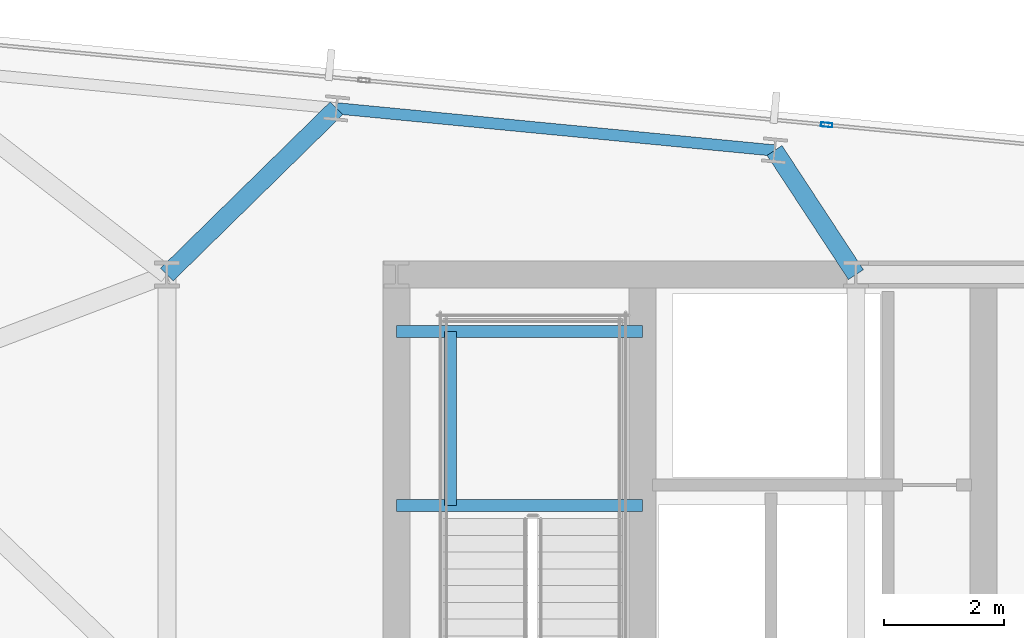
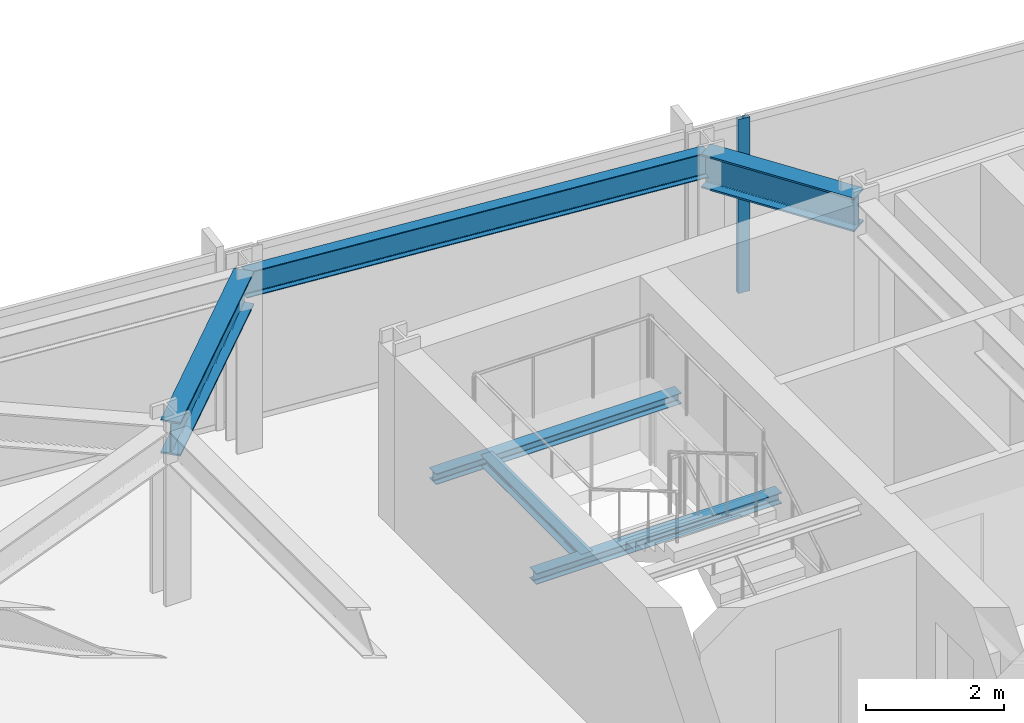
# One storey, part 24 of 38: 6 beams, 1 member, 1 element without a shape of its own.
"""IFC4 building model written with IfcOpenShell, lengths in metres."""

from ifc_helpers import new_model, si_unit, direction, frame, origin, origin_2d, place, context, subcontext, project, spatial, hollow_rectangle, i_section, extrude, material, material_profile, profile_set, type_object, element, aggregate, save


model = new_model("IFC4")

# Units and contexts
model_context = context("Model", 3, precision=1e-05, world=origin(), true_north=direction((0.0, 1.0)))
body_context = subcontext(model_context, "Body", "Model", "MODEL_VIEW")
ifc_project = project(units=[si_unit("LENGTHUNIT", "METRE"), si_unit("AREAUNIT", "SQUARE_METRE"), si_unit("VOLUMEUNIT", "CUBIC_METRE"), si_unit("PLANEANGLEUNIT", "RADIAN"), si_unit("MASSUNIT", "GRAM", prefix="KILO")], contexts=[model_context])

# Site, building, storey
site_placement = place(None, origin())
site = spatial("IfcSite", under=ifc_project, at=site_placement, CompositionType="ELEMENT")
building_placement = place(site_placement, origin())
building = spatial("IfcBuilding", under=site, at=building_placement, Name="Yelkora Congress Tower", CompositionType="ELEMENT")
storey_placement = place(building_placement, frame((0.0, 0.0, 178.699951171875)))
storey = spatial("IfcBuildingStorey", under=building, at=storey_placement, Name="L49", CompositionType="ELEMENT", Elevation=178.699951171875)

# Beams
ifc_material_1 = material(Name="Steel S355J2", Category="steel")
ifc_material_profile_1 = material_profile(ifc_material_1, i_section(OverallWidth=0.300048828125, OverallDepth=0.60009765625, WebThickness=0.015380859375, FlangeThickness=0.030029296875, FilletRadius=0.027099609375, at=origin_2d()), Name="HEB 600")
ifc_profile_set_1 = profile_set([ifc_material_profile_1], Name="Steel S355J2")
beam_type_1 = type_object("IfcBeamType", Name="BM-GIRD-HEB600", PredefinedType="BEAM", material=ifc_profile_set_1)
beam_1_placement = place(storey_placement, frame((22.035400390625, 48.980224609375, 2.780029296875), z_axis=(-0.714019806588, -0.700125500036, 0.0), x_axis=(0.700125500036, -0.714019806588, 0.0)))
element("IfcBeam", 1, at=beam_1_placement, inside=storey, type_object=beam_type_1, Name="L49 Primary Frame Girder N03", PredefinedType="BEAM", context=body_context, shape_type="SweptSolid", body=[
    extrude(i_section(OverallWidth=0.300048828125, OverallDepth=0.60009765625, WebThickness=0.015380859375, FlangeThickness=0.030029296875, FilletRadius=0.027099609375, at=origin_2d()), origin(), (0.0, 0.0, 1.0), 3.97119140625),
])
beam_2_placement = place(storey_placement, frame((29.358642578125, 48.275146484375, 2.780029296875), z_axis=(0.548510321976, -0.8361437835, 0.0), x_axis=(0.8361437835, 0.548510321976, 0.0)))
element("IfcBeam", 2, at=beam_2_placement, inside=storey, type_object=beam_type_1, Name="L49 Primary Frame Girder N04", PredefinedType="BEAM", context=body_context, shape_type="SweptSolid", body=[
    extrude(i_section(OverallWidth=0.300048828125, OverallDepth=0.60009765625, WebThickness=0.015380859375, FlangeThickness=0.030029296875, FilletRadius=0.027099609375, at=origin_2d()), origin(), (0.0, 0.0, 1.0), 2.48193359375),
])
ifc_material_profile_2 = material_profile(ifc_material_1, i_section(OverallWidth=0.199951171875, OverallDepth=0.18994140625, WebThickness=0.006591796875, FlangeThickness=0.010009765625, FilletRadius=0.01806640625, at=origin_2d()), Name="HEA 200")
ifc_profile_set_2 = profile_set([ifc_material_profile_2], Name="Steel S355J2")
beam_type_2 = type_object("IfcBeamType", Name="BM-LAND-HEA200", PredefinedType="BEAM", material=ifc_profile_set_2)
for number, where, z_axis, x_axis, name in (
    (3, (23.0400390625, 42.340087890625, 1.334716796875), (1.0, 0.0, 0.0), (0.0, 1.0, 0.0), "ST-01 L49 Landing Header Beam 1S"),
    (4, (23.0400390625, 45.25, 1.334716796875), (1.0, 0.0, 0.0), (0.0, 1.0, 0.0), "ST-01 L49 Landing Header Beam 1N"),
):
    element("IfcBeam", number, at=place(storey_placement, frame(where, z_axis=z_axis, x_axis=x_axis)), inside=storey, type_object=beam_type_2, Name=name, PredefinedType="BEAM", context=body_context, shape_type="SweptSolid", body=[
        extrude(i_section(OverallWidth=0.199951171875, OverallDepth=0.18994140625, WebThickness=0.006591796875, FlangeThickness=0.010009765625, FilletRadius=0.01806640625, at=origin_2d()), origin(), (0.0, 0.0, 1.0), 4.10986328125),
    ])
beam_3_placement = place(storey_placement, frame((23.93994140625, 42.340087890625, 1.334716796875), z_axis=(0.0, 1.0, 0.0), x_axis=(-1.0, 0.0, 0.0)))
element("IfcBeam", 5, at=beam_3_placement, inside=storey, type_object=beam_type_2, Name="ST-01 L49 Landing Trimmer Beam 1M", PredefinedType="BEAM", context=body_context, shape_type="SweptSolid", body=[
    extrude(i_section(OverallWidth=0.199951171875, OverallDepth=0.18994140625, WebThickness=0.006591796875, FlangeThickness=0.010009765625, FilletRadius=0.01806640625, at=origin_2d()), origin(), (0.0, 0.0, 1.0), 2.909912109375),
])
ifc_material_profile_3 = material_profile(ifc_material_1, i_section(OverallWidth=0.18994140625, OverallDepth=0.449951171875, WebThickness=0.009521484375, FlangeThickness=0.0146484375, FilletRadius=0.02099609375, at=origin_2d()), Name="IPE 450")
ifc_profile_set_3 = profile_set([ifc_material_profile_3], Name="Steel S355J2")
beam_type_3 = type_object("IfcBeamType", Name="BM-SPAN-IPE450", PredefinedType="SPANDREL", material=ifc_profile_set_3)
beam_4_placement = place(storey_placement, frame((29.358642578125, 48.275146484375, 2.85498046875), z_axis=(-0.995397104697, 0.095836339457, 0.0), x_axis=(-0.095836339457, -0.995397104697, 0.0)))
element("IfcBeam", 6, at=beam_4_placement, inside=storey, type_object=beam_type_3, Name="L49 Perimeter Beam 13", PredefinedType="SPANDREL", context=body_context, shape_type="SweptSolid", body=[
    extrude(i_section(OverallWidth=0.18994140625, OverallDepth=0.449951171875, WebThickness=0.009521484375, FlangeThickness=0.0146484375, FilletRadius=0.02099609375, at=origin_2d()), origin(), (0.0, 0.0, 1.0), 7.357177734375),
])

# Curtain wall, member
ifc_material_2 = material(Name="Anodised aluminium and insulated glass", Category="aluminium")
curtain_wall_type = type_object("IfcCurtainWallType", Name="CW-SYS-B3", PredefinedType="NOTDEFINED", material=ifc_material_2)
curtain_wall_placement = place(storey_placement, origin())
curtain_wall = element("IfcCurtainWall", 7, at=curtain_wall_placement, inside=storey, type_object=curtain_wall_type, Name="L49 Unitised Curtain Wall 10 (1)", PredefinedType="NOTDEFINED")
ifc_material_3 = material(Name="Anodised aluminium 6063-T6", Category="aluminium")
ifc_material_profile_4 = material_profile(ifc_material_3, hollow_rectangle(XDim=0.070068359375, YDim=0.18994140625, WallThickness=0.00390625, at=origin_2d()), Name="ALU 70x190x4")
ifc_profile_set_4 = profile_set([ifc_material_profile_4], Name="Anodised aluminium 6063-T6")
member_type = type_object("IfcMemberType", Name="MEM-ML-B3", PredefinedType="MULLION", material=ifc_profile_set_4)
member_placement = place(storey_placement, frame((30.230224609375, 48.70361328125, 0.0), z_axis=(0.0, 0.0, 1.0), x_axis=(0.095844761168, 0.995396293823, 0.0)))
member = element("IfcMember", 8, at=member_placement, type_object=member_type, Name="CW-B3 mullion 4", PredefinedType="MULLION", context=body_context, shape_type="SweptSolid", body=[
    extrude(hollow_rectangle(XDim=0.070068359375, YDim=0.18994140625, WallThickness=0.00390625, at=origin_2d()), origin(), (0.0, 0.0, 1.0), 3.080078125),
])
aggregate(curtain_wall, [member])

save(model, "model.ifc")
